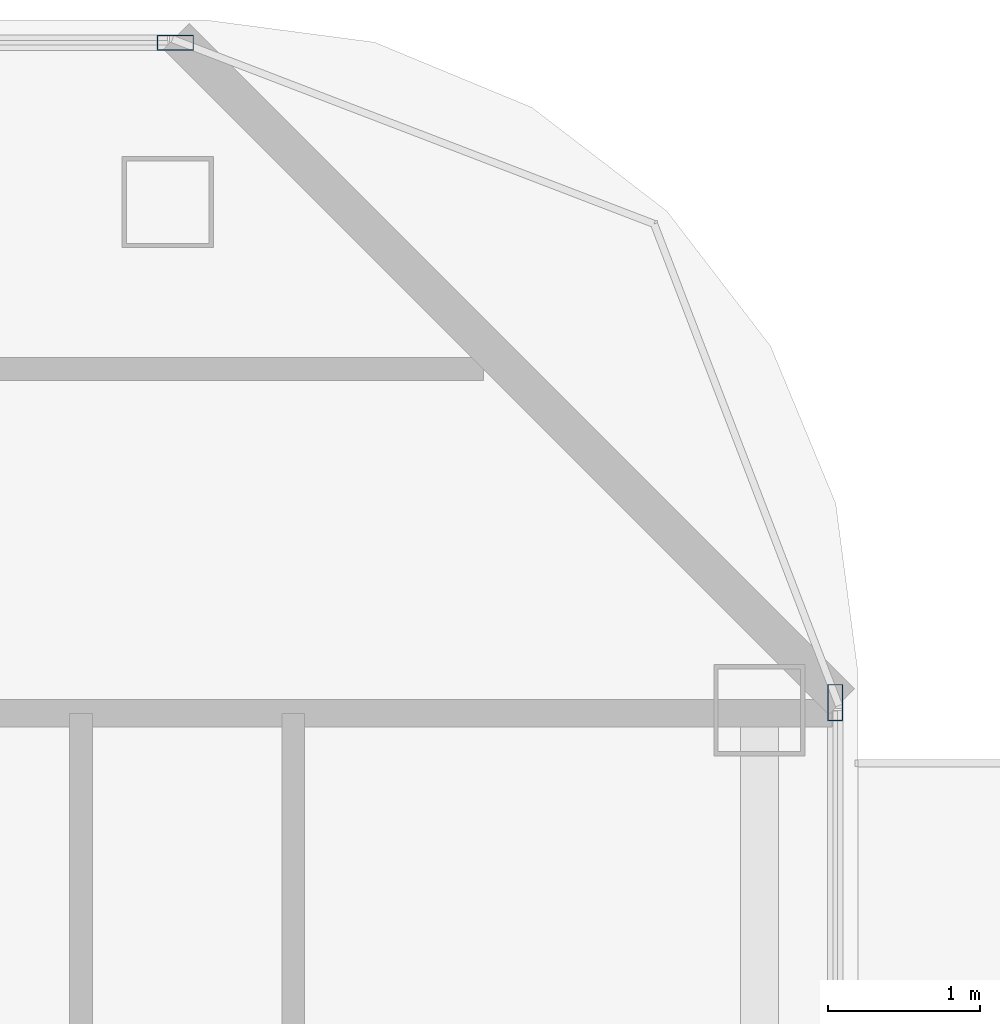
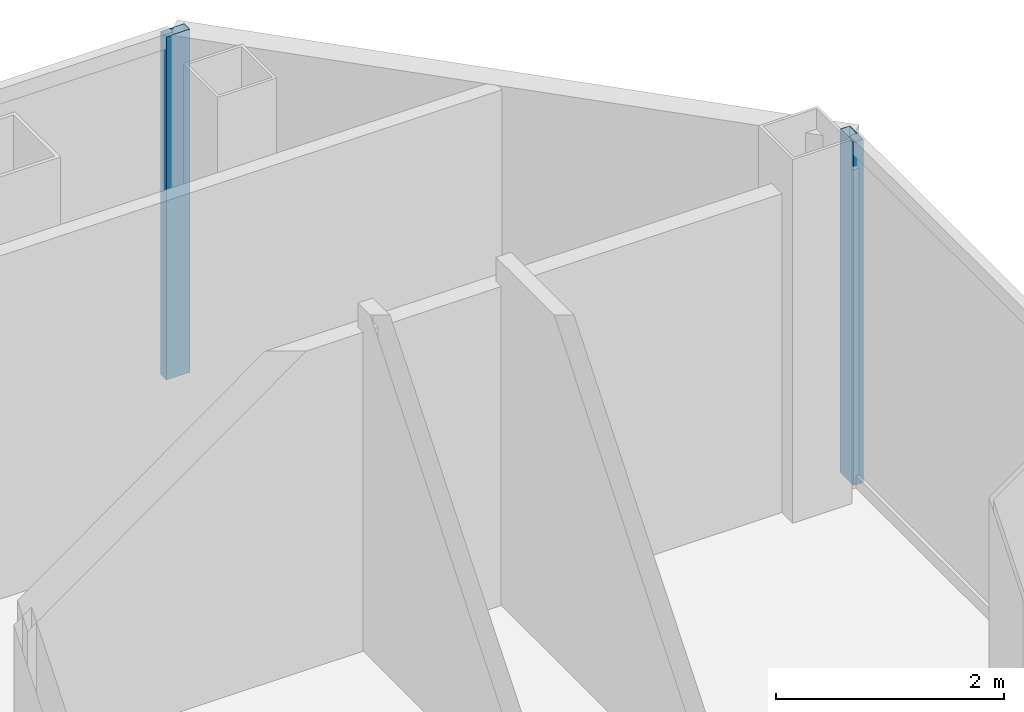
# One storey, part 17 of 27: 2 members, 2 elements without a shape of their own.
"""IFC4 building model written with IfcOpenShell, lengths in metres."""

from ifc_helpers import new_model, si_unit, direction, frame, origin, origin_2d, place, context, subcontext, project, spatial, hollow_rectangle, extrude, material, layer, layer_set, material_profile, profile_set, type_object, element, aggregate, save


model = new_model("IFC4")

# Units and contexts
model_context = context("Model", 3, precision=1e-05, world=origin(), true_north=direction((0.0, 1.0)))
body_context = subcontext(model_context, "Body", "Model", "MODEL_VIEW")
ifc_project = project(units=[si_unit("LENGTHUNIT", "METRE"), si_unit("AREAUNIT", "SQUARE_METRE"), si_unit("VOLUMEUNIT", "CUBIC_METRE"), si_unit("PLANEANGLEUNIT", "RADIAN"), si_unit("MASSUNIT", "GRAM", prefix="KILO")], contexts=[model_context])

# Site, building, storey
site_placement = place(None, origin())
site = spatial("IfcSite", under=ifc_project, at=site_placement, CompositionType="ELEMENT")
building_placement = place(site_placement, origin())
building = spatial("IfcBuilding", under=site, at=building_placement, Name="Khorvyn Point Tower", CompositionType="ELEMENT")
storey_placement = place(building_placement, frame((0.0, 0.0, 246.89990234375)))
storey = spatial("IfcBuildingStorey", under=building, at=storey_placement, Name="L60", CompositionType="ELEMENT", Elevation=246.89990234375)

# Curtain wall, member
ifc_material_1 = material(Name="Anodised aluminium 6063-T6 and laminated Low-E glass", Category="aluminium")
ifc_layer = layer(ifc_material_1, 0.18994140625)
ifc_layer_set = layer_set([ifc_layer], Name="Stick-Built Acoustic Curtain Wall CW-SYS-03")
curtain_wall_type = type_object("IfcCurtainWallType", Name="Stick-Built Acoustic Curtain Wall CW-SYS-03", PredefinedType="NOTDEFINED", material=ifc_layer_set)
curtain_wall_1_placement = place(storey_placement, origin())
curtain_wall_1 = element("IfcCurtainWall", 1, at=curtain_wall_1_placement, inside=storey, type_object=curtain_wall_type, Name="Curtain Wall", PredefinedType="NOTDEFINED")
ifc_material_2 = material(Name="Anodised aluminium 6063-T6", Category="aluminium")
ifc_material_profile = material_profile(ifc_material_2, hollow_rectangle(XDim=0.10009765625, YDim=0.239990234375, WallThickness=0.0048828125, at=origin_2d()))
ifc_profile_set = profile_set([ifc_material_profile], Name="Anodised aluminium 6063-T6 ALU-MUL-100x240")
member_type = type_object("IfcMemberType", Name="Anodised Aluminium 6063-T6 Mullion ALU-MUL-100x240", PredefinedType="MULLION", material=ifc_profile_set)
member_1_placement = place(storey_placement, frame((21.800048828125, 15.85009765625, 0.0), z_axis=(0.0, 0.0, 1.0), x_axis=(0.0, 1.0, 0.0)))
member_1 = element("IfcMember", 2, at=member_1_placement, type_object=member_type, Name="Transom", PredefinedType="MULLION", context=body_context, shape_type="SweptSolid", body=[
    extrude(hollow_rectangle(XDim=0.10009765625, YDim=0.239990234375, WallThickness=0.0048828125, at=origin_2d()), origin(), (0.0, 0.0, 1.0), 3.68017578125),
])
aggregate(curtain_wall_1, [member_1])

curtain_wall_2_placement = place(storey_placement, origin())
curtain_wall_2 = element("IfcCurtainWall", 3, at=curtain_wall_2_placement, inside=storey, type_object=curtain_wall_type, Name="Curtain Wall", PredefinedType="NOTDEFINED")
member_2_placement = place(storey_placement, frame((26.14990234375, 11.5, 0.0), z_axis=(0.0, 0.0, 1.0), x_axis=(1.0, 0.0, 0.0)))
member_2 = element("IfcMember", 4, at=member_2_placement, type_object=member_type, Name="Transom", PredefinedType="MULLION", context=body_context, shape_type="SweptSolid", body=[
    extrude(hollow_rectangle(XDim=0.10009765625, YDim=0.239990234375, WallThickness=0.0048828125, at=origin_2d()), origin(), (0.0, 0.0, 1.0), 3.68017578125),
])
aggregate(curtain_wall_2, [member_2])

save(model, "model.ifc")
